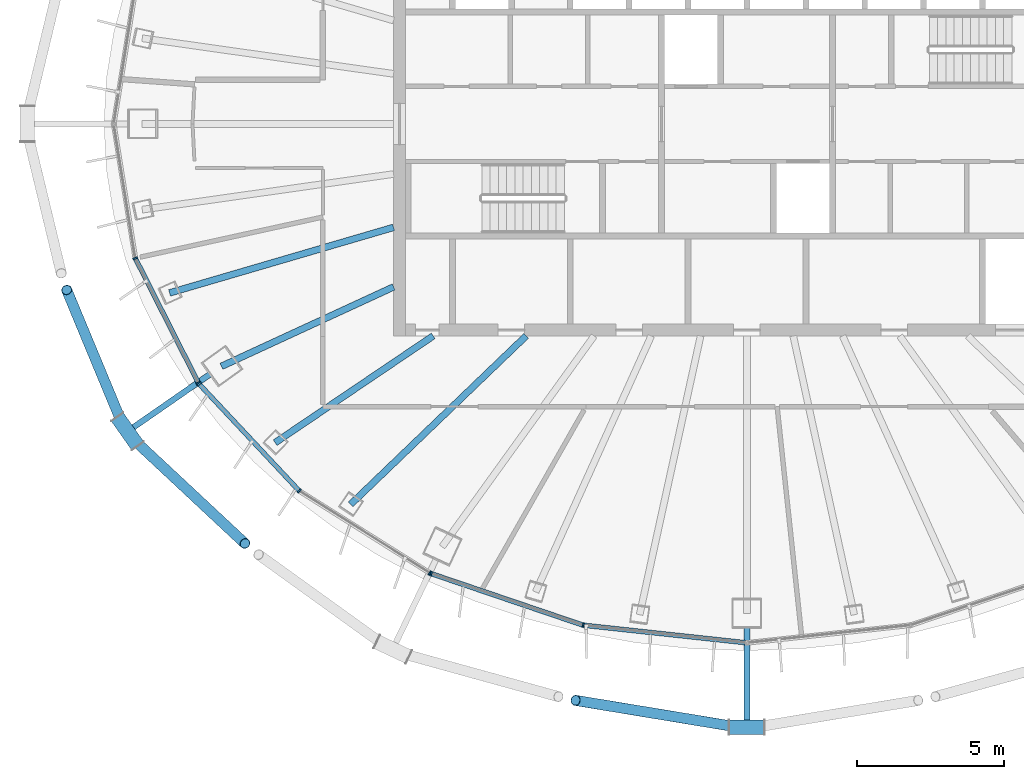
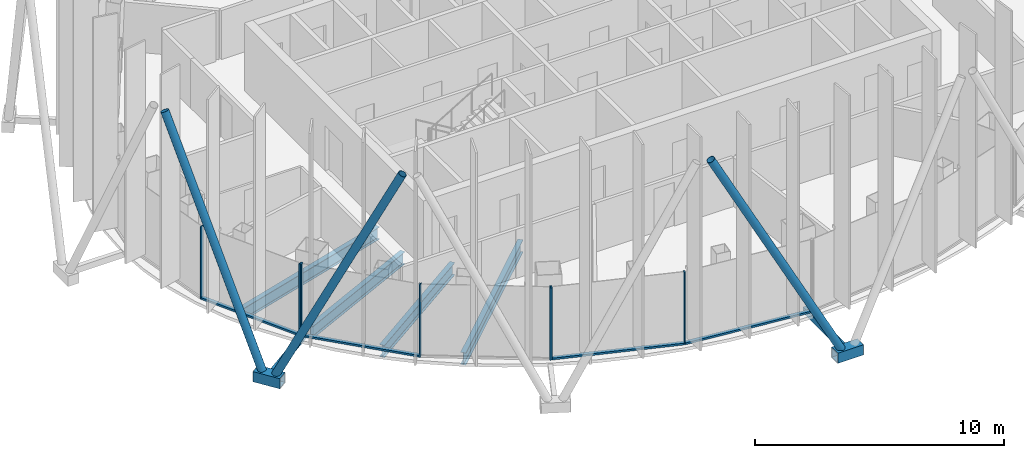
# One storey, part 2 of 20: 18 members, 4 beams, 3 elements without a shape of their own.
"""IFC4 building model written with IfcOpenShell, lengths in metres."""

from ifc_helpers import new_model, si_unit, direction, frame, origin, origin_2d, place, context, subcontext, project, spatial, rectangle, hollow_rectangle, hollow_circle, i_section, extrude, material, layer, layer_set, material_profile, profile_set, type_object, element, aggregate, save


model = new_model("IFC4")

# Units and contexts
model_context = context("Model", 3, precision=1e-05, world=origin(), true_north=direction((0.0, 1.0)))
body_context = subcontext(model_context, "Body", "Model", "MODEL_VIEW")
ifc_project = project(units=[si_unit("LENGTHUNIT", "METRE"), si_unit("AREAUNIT", "SQUARE_METRE"), si_unit("VOLUMEUNIT", "CUBIC_METRE"), si_unit("PLANEANGLEUNIT", "RADIAN"), si_unit("MASSUNIT", "GRAM", prefix="KILO")], contexts=[model_context])

# Site, building, storey
site_placement = place(None, origin())
site = spatial("IfcSite", under=ifc_project, at=site_placement, CompositionType="ELEMENT")
building_placement = place(site_placement, origin())
building = spatial("IfcBuilding", under=site, at=building_placement, Name="Siaravel Broadcast Tower", CompositionType="ELEMENT")
storey_placement = place(building_placement, frame((0.0, 0.0, 228.199951171875)))
storey = spatial("IfcBuildingStorey", under=building, at=storey_placement, Name="L55", CompositionType="ELEMENT", Elevation=228.199951171875)

# Beams
ifc_material_1 = material(Name="Steel S355", Category="steel")
ifc_material_profile_1 = material_profile(ifc_material_1, i_section(OverallWidth=0.2275390625, OverallDepth=0.6025390625, WebThickness=0.010498046875, FlangeThickness=0.014892578125, FilletRadius=0.0126953125, at=origin_2d()))
ifc_profile_set_1 = profile_set([ifc_material_profile_1], Name="Steel S355")
beam_type = type_object("IfcBeamType", Name="BM-UB 610x229x101", PredefinedType="BEAM", material=ifc_profile_set_1)
beam_1_placement = place(storey_placement, frame((-19.607666015625, -5.73876953125, -0.451171875), z_axis=(0.959739837, 0.28089045, 0.0), x_axis=(-0.28089045, 0.959739837, 0.0)))
element("IfcBeam", 1, at=beam_1_placement, inside=storey, type_object=beam_type, Name="Radial beam RB21", PredefinedType="BEAM", context=body_context, shape_type="SweptSolid", body=[
    extrude(i_section(OverallWidth=0.2275390625, OverallDepth=0.6025390625, WebThickness=0.010498046875, FlangeThickness=0.014892578125, FilletRadius=0.0126953125, at=origin_2d()), origin(), (0.0, 0.0, 1.0), 7.9267578125),
])
beam_2_placement = place(storey_placement, frame((-17.84521484375, -8.230712890625, -0.451171875), z_axis=(0.908062594, 0.418834484, 0.0), x_axis=(-0.418834484, 0.908062594, 0.0)))
element("IfcBeam", 2, at=beam_2_placement, inside=storey, type_object=beam_type, Name="Radial beam RB22", PredefinedType="BEAM", context=body_context, shape_type="SweptSolid", body=[
    extrude(i_section(OverallWidth=0.2275390625, OverallDepth=0.6025390625, WebThickness=0.010498046875, FlangeThickness=0.014892578125, FilletRadius=0.0126953125, at=origin_2d()), origin(), (0.0, 0.0, 1.0), 6.43701171875),
])
beam_3_placement = place(storey_placement, frame((-16.021484375, -10.823486328125, -0.451171875), z_axis=(0.828634362, 0.559790223, 0.0), x_axis=(-0.559790223, 0.828634362, 0.0)))
element("IfcBeam", 3, at=beam_3_placement, inside=storey, type_object=beam_type, Name="Radial beam RB23", PredefinedType="BEAM", context=body_context, shape_type="SweptSolid", body=[
    extrude(i_section(OverallWidth=0.2275390625, OverallDepth=0.6025390625, WebThickness=0.010498046875, FlangeThickness=0.014892578125, FilletRadius=0.0126953125, at=origin_2d()), origin(), (0.0, 0.0, 1.0), 6.47314453125),
])
beam_4_placement = place(storey_placement, frame((-13.45947265625, -12.921875, -0.451171875), z_axis=(0.721365472, 0.692554587, 0.0), x_axis=(-0.692554587, 0.721365472, 0.0)))
element("IfcBeam", 4, at=beam_4_placement, inside=storey, type_object=beam_type, Name="Radial beam RB24", PredefinedType="BEAM", context=body_context, shape_type="SweptSolid", body=[
    extrude(i_section(OverallWidth=0.2275390625, OverallDepth=0.6025390625, WebThickness=0.010498046875, FlangeThickness=0.014892578125, FilletRadius=0.0126953125, at=origin_2d()), origin(), (0.0, 0.0, 1.0), 8.261962890625),
])

# Curtain wall, members
ifc_material_2 = material(Name="Aluminium 6063-T6", Category="aluminium")
ifc_layer = layer(ifc_material_2, 0.159912109375)
ifc_layer_set = layer_set([ifc_layer], Name="Aluminium 6063-T6")
curtain_wall_type = type_object("IfcCurtainWallType", Name="Unitised curtain wall, zone 4", PredefinedType="NOTDEFINED", material=ifc_layer_set)
curtain_wall_1_placement = place(storey_placement, origin())
curtain_wall_1 = element("IfcCurtainWall", 5, at=curtain_wall_1_placement, inside=storey, type_object=curtain_wall_type, Name="L55 Unitised curtain wall, zone 4 07", PredefinedType="NOTDEFINED")
ifc_material_profile_2 = material_profile(ifc_material_2, rectangle(XDim=0.159912109375, YDim=0.054931640625, at=origin_2d()))
ifc_profile_set_2 = profile_set([ifc_material_profile_2], Name="Aluminium 6063-T6")
member_type_1 = type_object("IfcMemberType", Name="CW-Z4 mullion", PredefinedType="MULLION", material=ifc_profile_set_2)
member_1_placement = place(storey_placement, frame((-20.7685546875, -4.5634765625, 0.0), z_axis=(0.0, 0.0, 1.0), x_axis=(0.951177556, 0.308644223, 0.0)))
member_1 = element("IfcMember", 6, at=member_1_placement, type_object=member_type_1, Name="CW-Z4 mullion 2", PredefinedType="MULLION", context=body_context, shape_type="SweptSolid", body=[
    extrude(rectangle(XDim=0.159912109375, YDim=0.054931640625, at=origin_2d()), origin(), (0.0, 0.0, 1.0), 3.550048828125),
])
member_2_placement = place(storey_placement, frame((-18.63134765625, -8.7900390625, 0.0), z_axis=(0.0, 0.0, 1.0), x_axis=(0.89239278, 0.451259489, 0.0)))
member_2 = element("IfcMember", 7, at=member_2_placement, type_object=member_type_1, Name="CW-Z4 mullion 3", PredefinedType="MULLION", context=body_context, shape_type="SweptSolid", body=[
    extrude(rectangle(XDim=0.159912109375, YDim=0.054931640625, at=origin_2d()), origin(), (0.0, 0.0, 1.0), 3.550048828125),
])

curtain_wall_2_placement = place(storey_placement, origin())
curtain_wall_2 = element("IfcCurtainWall", 8, at=curtain_wall_2_placement, inside=storey, type_object=curtain_wall_type, Name="L55 Unitised curtain wall, zone 4 08", PredefinedType="NOTDEFINED")
member_3_placement = place(storey_placement, frame((-18.60009765625, -8.834716796875, 0.0), z_axis=(0.0, 0.0, 1.0), x_axis=(0.72980635, 0.683653927, 0.0)))
member_3 = element("IfcMember", 9, at=member_3_placement, type_object=member_type_1, Name="CW-Z4 mullion 1", PredefinedType="MULLION", context=body_context, shape_type="SweptSolid", body=[
    extrude(rectangle(XDim=0.159912109375, YDim=0.054931640625, at=origin_2d()), origin(), (0.0, 0.0, 1.0), 3.550048828125),
])
member_4_placement = place(storey_placement, frame((-15.200439453125, -12.463623046875, 0.0), z_axis=(0.0, 0.0, 1.0), x_axis=(0.636219746, 0.771507897, 0.0)))
member_4 = element("IfcMember", 10, at=member_4_placement, type_object=member_type_1, Name="CW-Z4 mullion 2", PredefinedType="MULLION", context=body_context, shape_type="SweptSolid", body=[
    extrude(rectangle(XDim=0.159912109375, YDim=0.054931640625, at=origin_2d()), origin(), (0.0, 0.0, 1.0), 3.550048828125),
])
member_5_placement = place(storey_placement, frame((-10.770751953125, -15.248046875, 0.0), z_axis=(0.0, 0.0, 1.0), x_axis=(0.532150293, 0.846649907, 0.0)))
member_5 = element("IfcMember", 11, at=member_5_placement, type_object=member_type_1, Name="CW-Z4 mullion 3", PredefinedType="MULLION", context=body_context, shape_type="SweptSolid", body=[
    extrude(rectangle(XDim=0.159912109375, YDim=0.054931640625, at=origin_2d()), origin(), (0.0, 0.0, 1.0), 3.550048828125),
])

curtain_wall_3_placement = place(storey_placement, origin())
curtain_wall_3 = element("IfcCurtainWall", 12, at=curtain_wall_3_placement, inside=storey, type_object=curtain_wall_type, Name="L55 Unitised curtain wall, zone 4 09", PredefinedType="NOTDEFINED")
member_6_placement = place(storey_placement, frame((-10.72119140625, -15.271484375, 0.0), z_axis=(0.0, 0.0, 1.0), x_axis=(0.321301352, 0.946977002, 0.0)))
member_6 = element("IfcMember", 13, at=member_6_placement, type_object=member_type_1, Name="CW-Z4 mullion 1", PredefinedType="MULLION", context=body_context, shape_type="SweptSolid", body=[
    extrude(rectangle(XDim=0.159912109375, YDim=0.054931640625, at=origin_2d()), origin(), (0.0, 0.0, 1.0), 3.550048828125),
])
member_7_placement = place(storey_placement, frame((-5.56298828125, -17.021728515625, 0.0), z_axis=(0.0, 0.0, 1.0), x_axis=(0.215558569, 0.976490913, 0.0)))
member_7 = element("IfcMember", 14, at=member_7_placement, type_object=member_type_1, Name="CW-Z4 mullion 2", PredefinedType="MULLION", context=body_context, shape_type="SweptSolid", body=[
    extrude(rectangle(XDim=0.159912109375, YDim=0.054931640625, at=origin_2d()), origin(), (0.0, 0.0, 1.0), 3.550048828125),
])

# Member
ifc_material_profile_3 = material_profile(ifc_material_2, rectangle(XDim=0.159912109375, YDim=0.090087890625, at=origin_2d()))
ifc_profile_set_3 = profile_set([ifc_material_profile_3], Name="Aluminium 6063-T6")
member_type_2 = type_object("IfcMemberType", Name="CW-Z4 transom", PredefinedType="USERDEFINED", material=ifc_profile_set_3)
member_8_placement = place(storey_placement, frame((-20.756103515625, -4.587890625, 0.045166015625), z_axis=(0.451235344, -0.892404989, 0.0), x_axis=(0.892404989, 0.451235344, 0.0)))
member_8 = element("IfcMember", 15, at=member_8_placement, type_object=member_type_2, Name="CW-Z4 transom 2", ObjectType="TRANSOM", PredefinedType="USERDEFINED", context=body_context, shape_type="SweptSolid", body=[
    extrude(rectangle(XDim=0.159912109375, YDim=0.090087890625, at=origin_2d()), origin(), (0.0, 0.0, 1.0), 4.68115234375),
])

aggregate(curtain_wall_1, [member_1, member_2, member_8])

member_9_placement = place(storey_placement, frame((-18.581298828125, -8.854736328125, 0.045166015625), z_axis=(0.68367025, -0.729791059, 0.0), x_axis=(0.729791059, 0.68367025, 0.0)))
member_9 = element("IfcMember", 16, at=member_9_placement, type_object=member_type_2, Name="CW-Z4 transom 1", ObjectType="TRANSOM", PredefinedType="USERDEFINED", context=body_context, shape_type="SweptSolid", body=[
    extrude(rectangle(XDim=0.159912109375, YDim=0.090087890625, at=origin_2d()), origin(), (0.0, 0.0, 1.0), 4.917724609375),
])

aggregate(curtain_wall_2, [member_3, member_4, member_5, member_9])

member_10_placement = place(storey_placement, frame((-10.6953125, -15.2802734375, 0.045166015625), z_axis=(0.946971812, -0.321316645, 0.0), x_axis=(0.321316645, 0.946971812, 0.0)))
member_10 = element("IfcMember", 17, at=member_10_placement, type_object=member_type_2, Name="CW-Z4 transom 1", ObjectType="TRANSOM", PredefinedType="USERDEFINED", context=body_context, shape_type="SweptSolid", body=[
    extrude(rectangle(XDim=0.159912109375, YDim=0.090087890625, at=origin_2d()), origin(), (0.0, 0.0, 1.0), 5.392333984375),
])

member_11_placement = place(storey_placement, frame((-5.53564453125, -17.024658203125, 0.045166015625), z_axis=(0.994235535, -0.107218006, 0.0), x_axis=(0.107218006, 0.994235535, 0.0)))
member_11 = element("IfcMember", 18, at=member_11_placement, type_object=member_type_2, Name="CW-Z4 transom 2", ObjectType="TRANSOM", PredefinedType="USERDEFINED", context=body_context, shape_type="SweptSolid", body=[
    extrude(rectangle(XDim=0.159912109375, YDim=0.090087890625, at=origin_2d()), origin(), (0.0, 0.0, 1.0), 5.5126953125),
])

aggregate(curtain_wall_3, [member_6, member_7, member_10, member_11])

# Members
ifc_material_3 = material(Name="Steel S460", Category="steel")
ifc_material_profile_4 = material_profile(ifc_material_3, hollow_circle(Radius=0.177734375, WallThickness=0.012451171875, at=origin_2d()))
ifc_profile_set_4 = profile_set([ifc_material_profile_4], Name="Steel S460")
member_type_3 = type_object("IfcMemberType", Name="Diagrid diagonal CHS 355.6x12.5", PredefinedType="BRACE", material=ifc_profile_set_4)
member_12_placement = place(storey_placement, frame((-21.206298828125, -10.199462890625, 0.02001953125), z_axis=(-0.161211025, 0.388315343, 0.907315932), x_axis=(-0.923571851, -0.383425398, 0.0)))
element("IfcMember", 19, at=member_12_placement, inside=storey, type_object=member_type_3, Name="Diagrid diagonal R23 station 42C", PredefinedType="BRACE", context=body_context, shape_type="SweptSolid", body=[
    extrude(hollow_circle(Radius=0.177734375, WallThickness=0.012451171875, at=origin_2d()), origin(), (0.0, 0.0, 1.0), 11.748779296875),
])
member_13_placement = place(storey_placement, frame((-20.865478515625, -10.6826171875, 0.02001953125), z_axis=(0.321787959, -0.300401234, 0.897892871), x_axis=(0.682398137, 0.730980699, 0.0)))
element("IfcMember", 20, at=member_13_placement, inside=storey, type_object=member_type_3, Name="Diagrid diagonal R23 station 42A", PredefinedType="BRACE", context=body_context, shape_type="SweptSolid", body=[
    extrude(hollow_circle(Radius=0.177734375, WallThickness=0.012451171875, at=origin_2d()), origin(), (0.0, 0.0, 1.0), 11.8720703125),
])
member_14_placement = place(storey_placement, frame((-0.295654296875, -20.486328125, 0.02001953125), z_axis=(-0.458853879, 0.075627457, 0.885287301), x_axis=(-0.162624126, -0.986688093, 0.0)))
element("IfcMember", 21, at=member_14_placement, inside=storey, type_object=member_type_3, Name="Diagrid diagonal R23 station 54C", PredefinedType="BRACE", context=body_context, shape_type="SweptSolid", body=[
    extrude(hollow_circle(Radius=0.177734375, WallThickness=0.012451171875, at=origin_2d()), origin(), (0.0, 0.0, 1.0), 12.041259765625),
])
ifc_material_profile_5 = material_profile(ifc_material_3, hollow_rectangle(XDim=0.5, YDim=0.5, WallThickness=0.031982421875, at=origin_2d()))
ifc_profile_set_5 = profile_set([ifc_material_profile_5], Name="Steel S460")
member_type_4 = type_object("IfcMemberType", Name="Diagrid node BOX 500x500x32", PredefinedType="USERDEFINED", material=ifc_profile_set_5)
member_15_placement = place(storey_placement, frame((-21.377685546875, -9.9560546875, -0.199951171875), z_axis=(0.576069144, -0.817400967, 0.0), x_axis=(0.817400967, 0.576069144, 0.0)))
element("IfcMember", 22, at=member_15_placement, inside=storey, type_object=member_type_4, Name="Diagrid node R23 station 42", ObjectType="DIAGRID NODE", PredefinedType="USERDEFINED", context=body_context, shape_type="SweptSolid", body=[
    extrude(hollow_rectangle(XDim=0.5, YDim=0.5, WallThickness=0.031982421875, at=origin_2d()), origin(), (0.0, 0.0, 1.0), 1.186767578125),
])
member_16_placement = place(storey_placement, frame((-0.593505859375, -20.486328125, -0.199951171875), z_axis=(1.0, 0.0, 0.0), x_axis=(0.0, 1.0, 0.0)))
element("IfcMember", 23, at=member_16_placement, inside=storey, type_object=member_type_4, Name="Diagrid node R23 station 54", ObjectType="DIAGRID NODE", PredefinedType="USERDEFINED", context=body_context, shape_type="SweptSolid", body=[
    extrude(hollow_rectangle(XDim=0.5, YDim=0.5, WallThickness=0.031982421875, at=origin_2d()), origin(), (0.0, 0.0, 1.0), 1.18701171875),
])
ifc_material_profile_6 = material_profile(ifc_material_3, hollow_rectangle(XDim=0.199951171875, YDim=0.300048828125, WallThickness=0.012451171875, at=origin_2d()))
ifc_profile_set_6 = profile_set([ifc_material_profile_6], Name="Steel S460")
member_type_5 = type_object("IfcMemberType", Name="Diagrid node arm RHS 300x200x12.5", PredefinedType="STRUT", material=ifc_profile_set_6)
member_17_placement = place(storey_placement, frame((-18.2314453125, -8.498291015625, -0.199951171875), z_axis=(-0.821996626, -0.569492358, 0.0), x_axis=(0.569492358, -0.821996626, 0.0)))
element("IfcMember", 24, at=member_17_placement, inside=storey, type_object=member_type_5, Name="Node arm R23 station 42", PredefinedType="STRUT", context=body_context, shape_type="SweptSolid", body=[
    extrude(hollow_rectangle(XDim=0.199951171875, YDim=0.300048828125, WallThickness=0.012451171875, at=origin_2d()), origin(), (0.0, 0.0, 1.0), 3.191650390625),
])
member_18_placement = place(storey_placement, frame((0.0, -17.09912109375, -0.199951171875), z_axis=(0.0, -1.0, 0.0), x_axis=(1.0, 0.0, 0.0)))
element("IfcMember", 25, at=member_18_placement, inside=storey, type_object=member_type_5, Name="Node arm R23 station 54", PredefinedType="STRUT", context=body_context, shape_type="SweptSolid", body=[
    extrude(hollow_rectangle(XDim=0.199951171875, YDim=0.300048828125, WallThickness=0.012451171875, at=origin_2d()), origin(), (0.0, 0.0, 1.0), 3.167236328125),
])

save(model, "model.ifc")
